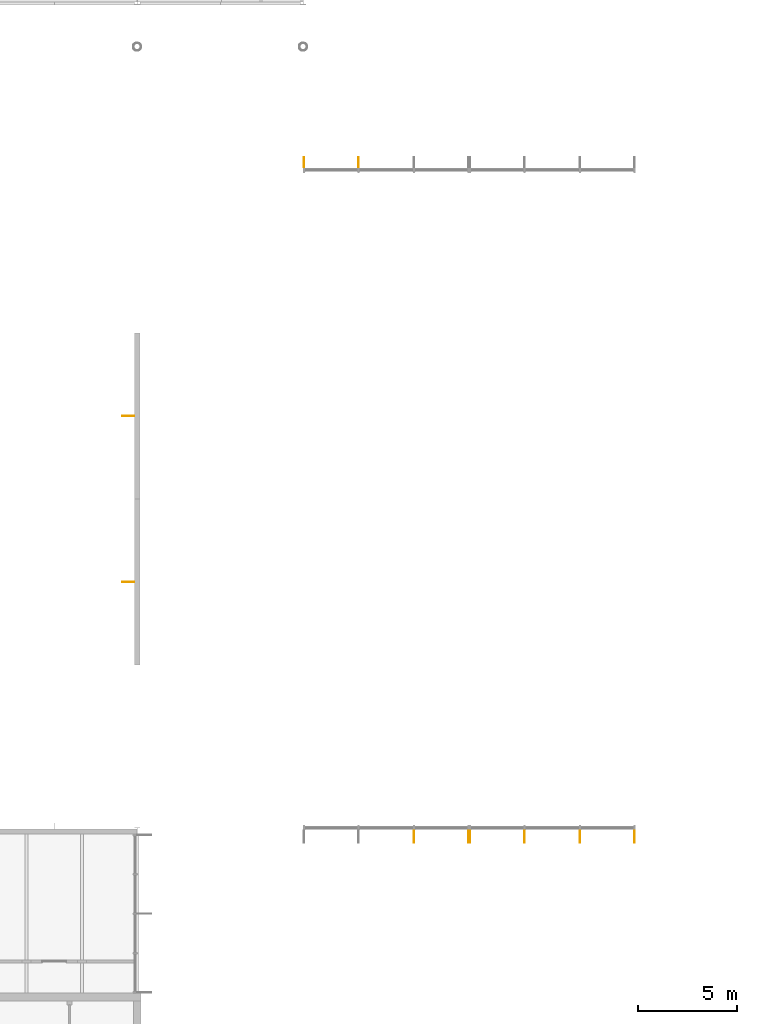
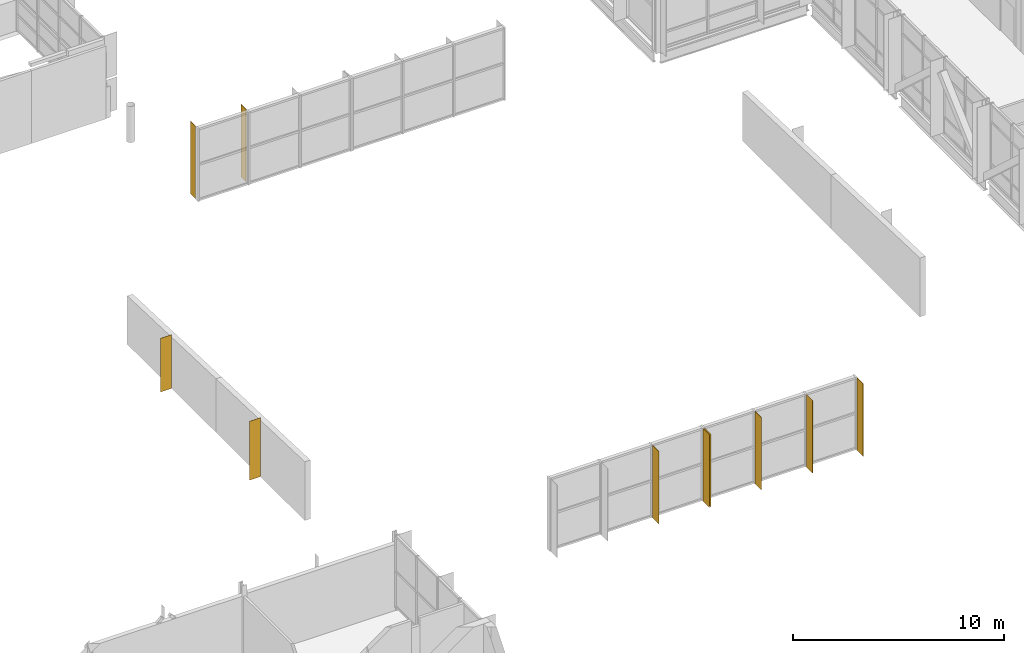
# One storey, part 65 of 72: 10 shading devices.
"""IFC4 building model written with IfcOpenShell, lengths in metres."""

from ifc_helpers import new_model, si_unit, direction, frame, origin, origin_2d, place, context, subcontext, project, spatial, rectangle, extrude, material, layer, layer_set, type_object, element, save


model = new_model("IFC4")

# Units and contexts
model_context = context("Model", 3, precision=1e-05, world=origin(), true_north=direction((0.0, 1.0)))
body_context = subcontext(model_context, "Body", "Model", "MODEL_VIEW")
ifc_project = project(units=[si_unit("LENGTHUNIT", "METRE"), si_unit("AREAUNIT", "SQUARE_METRE"), si_unit("VOLUMEUNIT", "CUBIC_METRE"), si_unit("PLANEANGLEUNIT", "RADIAN"), si_unit("MASSUNIT", "GRAM", prefix="KILO")], contexts=[model_context])

# Site, building, storey
site_placement = place(None, origin())
site = spatial("IfcSite", under=ifc_project, at=site_placement, CompositionType="ELEMENT")
building_placement = place(site_placement, origin())
building = spatial("IfcBuilding", under=site, at=building_placement, Name="Hlaing Beacon Police Headquarters", CompositionType="ELEMENT")
storey_placement = place(building_placement, frame((0.0, 0.0, 14.39990234375)))
storey = spatial("IfcBuildingStorey", under=building, at=storey_placement, Name="L03", CompositionType="ELEMENT", Elevation=14.39990234375)

# Shading devices
ifc_material_1 = material(Name="Aluminium 6063-T5 anodised", Category="aluminium")
ifc_layer_1 = layer(ifc_material_1, 0.011962890625)
ifc_layer_set_1 = layer_set([ifc_layer_1], Name="Aluminium 6063-T5 anodised")
shading_device_type_1 = type_object("IfcShadingDeviceType", Name="Aluminium fin 12x500", PredefinedType="JALOUSIE", material=ifc_layer_set_1)
for number, where, z_axis, x_axis, name in (
    (1, (70.0, 67.449951171875, 0.304931640625), (0.0, 0.0, 1.0), (-1.0, 0.0, 0.0), "Fin L03 N002.2"),
    (2, (67.239990234375, 67.449951171875, 0.304931640625), (0.0, 0.0, 1.0), (-1.0, 0.0, 0.0), "Fin L03 N002.3"),
):
    element("IfcShadingDevice", number, at=place(storey_placement, frame(where, z_axis=z_axis, x_axis=x_axis)), inside=storey, type_object=shading_device_type_1, Name=name, PredefinedType="JALOUSIE", context=body_context, shape_type="SweptSolid", body=[
        extrude(rectangle(XDim=0.011962890625, YDim=0.5, at=origin_2d()), origin(), (0.0, 0.0, 1.0), 4.1953125),
    ])
ifc_material_2 = material(Name="Aluminium 6063-T5 anodised", Category="aluminium")
ifc_layer_2 = layer(ifc_material_2, 0.011962890625)
ifc_layer_set_2 = layer_set([ifc_layer_2], Name="Aluminium 6063-T5 anodised")
shading_device_type_2 = type_object("IfcShadingDeviceType", Name="Aluminium fin 12x600", PredefinedType="JALOUSIE", material=ifc_layer_set_2)
for number, where, z_axis, x_axis, name in (
    (3, (72.800048828125, 33.300048828125, 0.304931640625), (0.0, 0.0, 1.0), (1.0, 0.0, 0.0), "Fin L03 S003.2"),
    (4, (75.56005859375, 33.300048828125, 0.304931640625), (0.0, 0.0, 1.0), (1.0, 0.0, 0.0), "Fin L03 S003.3"),
    (5, (75.639892578125, 33.300048828125, 0.304931640625), (0.0, 0.0, 1.0), (1.0, 0.0, 0.0), "Fin L03 S004.0"),
    (6, (78.39990234375, 33.300048828125, 0.304931640625), (0.0, 0.0, 1.0), (1.0, 0.0, 0.0), "Fin L03 S004.1"),
    (7, (81.199951171875, 33.300048828125, 0.304931640625), (0.0, 0.0, 1.0), (1.0, 0.0, 0.0), "Fin L03 S004.2"),
    (8, (83.9599609375, 33.300048828125, 0.304931640625), (0.0, 0.0, 1.0), (1.0, 0.0, 0.0), "Fin L03 S004.3"),
):
    element("IfcShadingDevice", number, at=place(storey_placement, frame(where, z_axis=z_axis, x_axis=x_axis)), inside=storey, type_object=shading_device_type_2, Name=name, PredefinedType="JALOUSIE", context=body_context, shape_type="SweptSolid", body=[
        extrude(rectangle(XDim=0.011962890625, YDim=0.60009765625, at=origin_2d()), origin(), (0.0, 0.0, 1.0), 4.1953125),
    ])
shading_device_1_placement = place(storey_placement, frame((58.35009765625, 54.60009765625, 0.0), z_axis=(0.0, 0.0, 1.0), x_axis=(0.0, -1.0, 0.0)))
element("IfcShadingDevice", 9, at=shading_device_1_placement, inside=storey, type_object=shading_device_type_2, Name="Fin L03 W001", PredefinedType="JALOUSIE", context=body_context, shape_type="SweptSolid", body=[
    extrude(rectangle(XDim=0.011962890625, YDim=0.60009765625, at=origin_2d()), origin(), (0.0, 0.0, 1.0), 3.10009765625),
])
shading_device_2_placement = place(storey_placement, frame((58.35009765625, 46.199951171875, 0.000244140625), z_axis=(0.0, 0.0, 1.0), x_axis=(0.0, -1.0, 0.0)))
element("IfcShadingDevice", 10, at=shading_device_2_placement, inside=storey, type_object=shading_device_type_2, Name="Fin L03 W002", PredefinedType="JALOUSIE", context=body_context, shape_type="SweptSolid", body=[
    extrude(rectangle(XDim=0.011962890625, YDim=0.60009765625, at=origin_2d()), origin(), (0.0, 0.0, 1.0), 3.39990234375),
])

save(model, "model.ifc")
